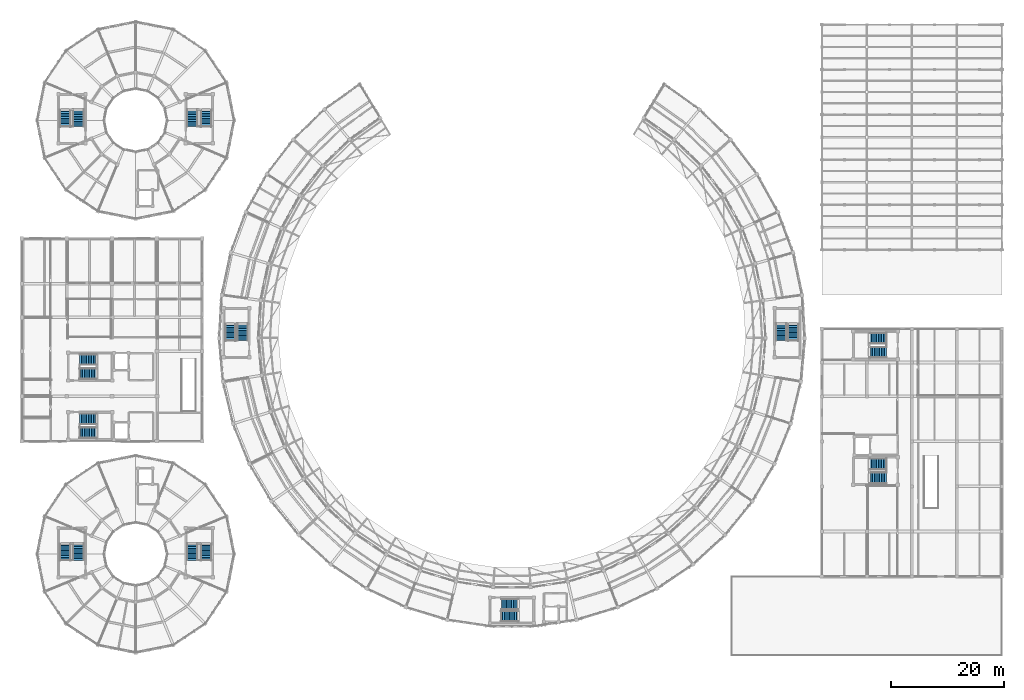
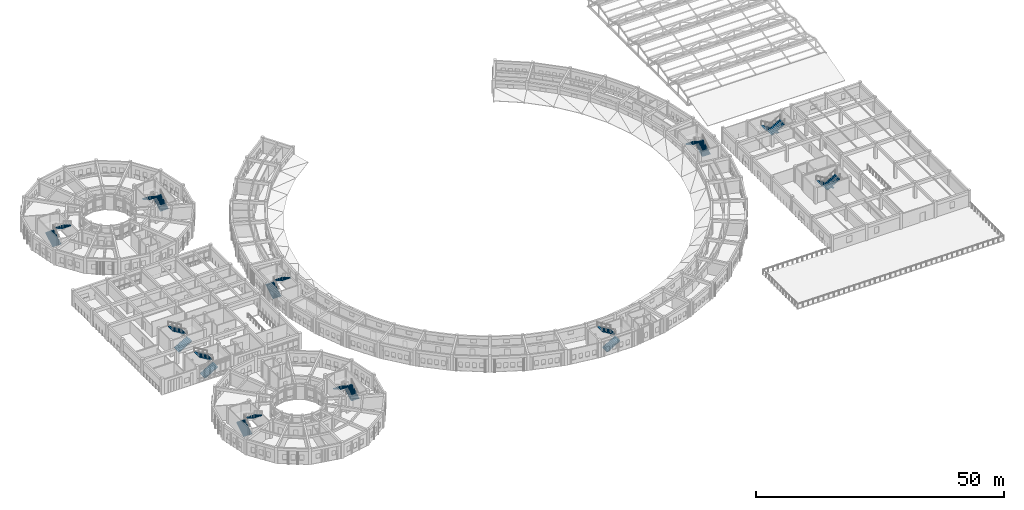
# One storey, part 94 of 112: 22 stair flights, 11 elements without a shape of their own.
"""IFC4 building model written with IfcOpenShell, lengths in metres."""

from ifc_helpers import new_model, si_unit, direction, frame, origin, place, context, subcontext, project, spatial, polyline, outline, extrude, material, type_object, element, aggregate, save


model = new_model("IFC4")

# Units and contexts
model_context = context("Model", 3, precision=1e-05, world=origin(), true_north=direction((0.0, 1.0)))
body_context = subcontext(model_context, "Body", "Model", "MODEL_VIEW")
ifc_project = project(units=[si_unit("LENGTHUNIT", "METRE"), si_unit("AREAUNIT", "SQUARE_METRE"), si_unit("VOLUMEUNIT", "CUBIC_METRE"), si_unit("PLANEANGLEUNIT", "RADIAN"), si_unit("MASSUNIT", "GRAM", prefix="KILO")], contexts=[model_context])

# Site, building, storey
site_placement = place(None, origin())
site = spatial("IfcSite", under=ifc_project, at=site_placement, CompositionType="ELEMENT")
building_placement = place(site_placement, origin())
building = spatial("IfcBuilding", under=site, at=building_placement, Name="Celadon Cloister-Ring School", CompositionType="ELEMENT")
storey_placement = place(building_placement, frame((0.0, 0.0, 8.5)))
storey = spatial("IfcBuildingStorey", under=building, at=storey_placement, Name="L02", CompositionType="ELEMENT", Elevation=8.5)

# Stair, stair flights
ifc_material_1 = material(Name="Concrete C35/45", Category="concrete")
stair_type_1 = type_object("IfcStairType", Name="ST-02", PredefinedType="HALF_TURN_STAIR", material=ifc_material_1)
stair_1_placement = place(storey_placement, origin())
stair_1 = element("IfcStair", 1, at=stair_1_placement, inside=storey, type_object=stair_type_1, Name="Exit Stair ST-V5A L02", PredefinedType="HALF_TURN_STAIR")
ifc_material_2 = material(Name="Concrete C35/45", Category="concrete")
stair_flight_type_1 = type_object("IfcStairFlightType", Name="SFL-01", PredefinedType="STRAIGHT", material=ifc_material_2)
stair_flight_1_placement = place(storey_placement, frame((10.18994140625, 41.52001953125, 0.0), z_axis=(0.0, 0.0, 1.0), x_axis=(1.0, 0.0, 0.0)))
stair_flight_1 = element("IfcStairFlight", 2, at=stair_flight_1_placement, type_object=stair_flight_type_1, Name="ST-02 flight 1", NumberOfRisers=11, NumberOfTreads=10, PredefinedType="STRAIGHT", RiserHeight=0.181818182, TreadLength=0.305, context=body_context, shape_type="SweptSolid", body=[
    extrude(outline(polyline([(0.0, 0.0), (0.0, 0.181884765625), (0.304931640625, 0.181884765625), (0.304931640625, 0.363525390625), (0.610107421875, 0.363525390625), (0.610107421875, 0.54541015625), (0.9150390625, 0.54541015625), (0.9150390625, 0.727294921875), (1.219970703125, 0.727294921875), (1.219970703125, 0.9091796875), (1.52490234375, 0.9091796875), (1.52490234375, 1.0908203125), (1.830078125, 1.0908203125), (1.830078125, 1.272705078125), (2.135009765625, 1.272705078125), (2.135009765625, 1.45458984375), (2.43994140625, 1.45458984375), (2.43994140625, 1.636474609375), (2.7451171875, 1.636474609375), (2.7451171875, 1.818115234375), (3.050048828125, 1.818115234375), (3.050048828125, 2.0), (3.050048828125, 1.632080078125), (0.312255859375, 0.0), (0.0, 0.0)])), frame((0.0, 0.97998046875, 0.0), z_axis=(0.0, -1.0, 0.0), x_axis=(1.0, 0.0, 0.0)), (0.0, 0.0, 1.0), 1.9599609375),
])
stair_flight_2_placement = place(storey_placement, frame((13.320068359375, 43.97998046875, 2.0), z_axis=(0.0, 0.0, 1.0), x_axis=(-1.0, 0.0, 0.0)))
stair_flight_2 = element("IfcStairFlight", 3, at=stair_flight_2_placement, type_object=stair_flight_type_1, Name="ST-02 flight 2", NumberOfRisers=11, NumberOfTreads=10, PredefinedType="STRAIGHT", RiserHeight=0.181818182, TreadLength=0.305, context=body_context, shape_type="SweptSolid", body=[
    extrude(outline(polyline([(0.0, 0.0), (0.0, 0.181884765625), (0.304931640625, 0.181884765625), (0.304931640625, 0.363525390625), (0.610107421875, 0.363525390625), (0.610107421875, 0.54541015625), (0.9150390625, 0.54541015625), (0.9150390625, 0.727294921875), (1.219970703125, 0.727294921875), (1.219970703125, 0.9091796875), (1.52490234375, 0.9091796875), (1.52490234375, 1.0908203125), (1.830078125, 1.0908203125), (1.830078125, 1.272705078125), (2.135009765625, 1.272705078125), (2.135009765625, 1.45458984375), (2.43994140625, 1.45458984375), (2.43994140625, 1.636474609375), (2.7451171875, 1.636474609375), (2.7451171875, 1.818115234375), (3.050048828125, 1.818115234375), (3.050048828125, 2.0), (3.050048828125, 1.632080078125), (0.312255859375, 0.0), (0.0, 0.0)])), frame((0.0, 0.97998046875, 0.0), z_axis=(0.0, -1.0, 0.0), x_axis=(1.0, 0.0, 0.0)), (0.0, 0.0, 1.0), 1.9599609375),
])
aggregate(stair_1, [stair_flight_1, stair_flight_2])

stair_2_placement = place(storey_placement, origin())
stair_2 = element("IfcStair", 4, at=stair_2_placement, inside=storey, type_object=stair_type_1, Name="Exit Stair ST-V5L1 L02", PredefinedType="HALF_TURN_STAIR")
stair_flight_3_placement = place(storey_placement, frame((7.719970703125, 18.800048828125, 0.0), z_axis=(0.0, 0.0, 1.0), x_axis=(0.0, 1.0, 0.0)))
stair_flight_3 = element("IfcStairFlight", 5, at=stair_flight_3_placement, type_object=stair_flight_type_1, Name="ST-02 flight 1", NumberOfRisers=11, NumberOfTreads=10, PredefinedType="STRAIGHT", RiserHeight=0.181818182, TreadLength=0.305, context=body_context, shape_type="SweptSolid", body=[
    extrude(outline(polyline([(0.0, 0.0), (0.0, 0.181884765625), (0.304931640625, 0.181884765625), (0.304931640625, 0.363525390625), (0.610107421875, 0.363525390625), (0.610107421875, 0.54541015625), (0.9150390625, 0.54541015625), (0.9150390625, 0.727294921875), (1.219970703125, 0.727294921875), (1.219970703125, 0.9091796875), (1.52490234375, 0.9091796875), (1.52490234375, 1.0908203125), (1.830078125, 1.0908203125), (1.830078125, 1.272705078125), (2.135009765625, 1.272705078125), (2.135009765625, 1.45458984375), (2.43994140625, 1.45458984375), (2.43994140625, 1.636474609375), (2.7451171875, 1.636474609375), (2.7451171875, 1.818115234375), (3.050048828125, 1.818115234375), (3.050048828125, 2.0), (3.050048828125, 1.632080078125), (0.312255859375, 0.0), (0.0, 0.0)])), frame((0.0, 0.97998046875, 0.0), z_axis=(0.0, -1.0, 0.0), x_axis=(1.0, 0.0, 0.0)), (0.0, 0.0, 1.0), 1.9599609375),
])
stair_flight_4_placement = place(storey_placement, frame((10.080078125, 21.929931640625, 2.0), z_axis=(0.0, 0.0, 1.0), x_axis=(0.0, -1.0, 0.0)))
stair_flight_4 = element("IfcStairFlight", 6, at=stair_flight_4_placement, type_object=stair_flight_type_1, Name="ST-02 flight 2", NumberOfRisers=11, NumberOfTreads=10, PredefinedType="STRAIGHT", RiserHeight=0.181818182, TreadLength=0.305, context=body_context, shape_type="SweptSolid", body=[
    extrude(outline(polyline([(0.0, 0.0), (0.0, 0.181884765625), (0.304931640625, 0.181884765625), (0.304931640625, 0.363525390625), (0.610107421875, 0.363525390625), (0.610107421875, 0.54541015625), (0.9150390625, 0.54541015625), (0.9150390625, 0.727294921875), (1.219970703125, 0.727294921875), (1.219970703125, 0.9091796875), (1.52490234375, 0.9091796875), (1.52490234375, 1.0908203125), (1.830078125, 1.0908203125), (1.830078125, 1.272705078125), (2.135009765625, 1.272705078125), (2.135009765625, 1.45458984375), (2.43994140625, 1.45458984375), (2.43994140625, 1.636474609375), (2.7451171875, 1.636474609375), (2.7451171875, 1.818115234375), (3.050048828125, 1.818115234375), (3.050048828125, 2.0), (3.050048828125, 1.632080078125), (0.312255859375, 0.0), (0.0, 0.0)])), frame((0.0, 0.97998046875, 0.0), z_axis=(0.0, -1.0, 0.0), x_axis=(1.0, 0.0, 0.0)), (0.0, 0.0, 1.0), 1.9599609375),
])
aggregate(stair_2, [stair_flight_3, stair_flight_4])

stair_3_placement = place(storey_placement, origin())
stair_3 = element("IfcStair", 7, at=stair_3_placement, inside=storey, type_object=stair_type_1, Name="Exit Stair ST-V3A L02", PredefinedType="HALF_TURN_STAIR")
stair_flight_5_placement = place(storey_placement, frame((7.719970703125, 95.800048828125, 0.0), z_axis=(0.0, 0.0, 1.0), x_axis=(0.0, 1.0, 0.0)))
stair_flight_5 = element("IfcStairFlight", 8, at=stair_flight_5_placement, type_object=stair_flight_type_1, Name="ST-02 flight 1", NumberOfRisers=11, NumberOfTreads=10, PredefinedType="STRAIGHT", RiserHeight=0.181818182, TreadLength=0.305, context=body_context, shape_type="SweptSolid", body=[
    extrude(outline(polyline([(0.0, 0.0), (0.0, 0.181884765625), (0.304931640625, 0.181884765625), (0.304931640625, 0.363525390625), (0.610107421875, 0.363525390625), (0.610107421875, 0.54541015625), (0.9150390625, 0.54541015625), (0.9150390625, 0.727294921875), (1.219970703125, 0.727294921875), (1.219970703125, 0.9091796875), (1.52490234375, 0.9091796875), (1.52490234375, 1.0908203125), (1.830078125, 1.0908203125), (1.830078125, 1.272705078125), (2.135009765625, 1.272705078125), (2.135009765625, 1.45458984375), (2.43994140625, 1.45458984375), (2.43994140625, 1.636474609375), (2.7451171875, 1.636474609375), (2.7451171875, 1.818115234375), (3.050048828125, 1.818115234375), (3.050048828125, 2.0), (3.050048828125, 1.632080078125), (0.312255859375, 0.0), (0.0, 0.0)])), frame((0.0, 0.97998046875, 0.0), z_axis=(0.0, -1.0, 0.0), x_axis=(1.0, 0.0, 0.0)), (0.0, 0.0, 1.0), 1.9599609375),
])
stair_flight_6_placement = place(storey_placement, frame((10.080078125, 98.929931640625, 2.0), z_axis=(0.0, 0.0, 1.0), x_axis=(0.0, -1.0, 0.0)))
stair_flight_6 = element("IfcStairFlight", 9, at=stair_flight_6_placement, type_object=stair_flight_type_1, Name="ST-02 flight 2", NumberOfRisers=11, NumberOfTreads=10, PredefinedType="STRAIGHT", RiserHeight=0.181818182, TreadLength=0.305, context=body_context, shape_type="SweptSolid", body=[
    extrude(outline(polyline([(0.0, 0.0), (0.0, 0.181884765625), (0.304931640625, 0.181884765625), (0.304931640625, 0.363525390625), (0.610107421875, 0.363525390625), (0.610107421875, 0.54541015625), (0.9150390625, 0.54541015625), (0.9150390625, 0.727294921875), (1.219970703125, 0.727294921875), (1.219970703125, 0.9091796875), (1.52490234375, 0.9091796875), (1.52490234375, 1.0908203125), (1.830078125, 1.0908203125), (1.830078125, 1.272705078125), (2.135009765625, 1.272705078125), (2.135009765625, 1.45458984375), (2.43994140625, 1.45458984375), (2.43994140625, 1.636474609375), (2.7451171875, 1.636474609375), (2.7451171875, 1.818115234375), (3.050048828125, 1.818115234375), (3.050048828125, 2.0), (3.050048828125, 1.632080078125), (0.312255859375, 0.0), (0.0, 0.0)])), frame((0.0, 0.97998046875, 0.0), z_axis=(0.0, -1.0, 0.0), x_axis=(1.0, 0.0, 0.0)), (0.0, 0.0, 1.0), 1.9599609375),
])
aggregate(stair_3, [stair_flight_5, stair_flight_6])

stair_4_placement = place(storey_placement, origin())
stair_4 = element("IfcStair", 10, at=stair_4_placement, inside=storey, type_object=stair_type_1, Name="Exit Stair ST-V4A L02", PredefinedType="HALF_TURN_STAIR")
stair_flight_7_placement = place(storey_placement, frame((153.56005859375, 35.97998046875, 0.0), z_axis=(0.0, 0.0, 1.0), x_axis=(-1.0, 0.0, 0.0)))
stair_flight_7 = element("IfcStairFlight", 11, at=stair_flight_7_placement, type_object=stair_flight_type_1, Name="ST-02 flight 1", NumberOfRisers=11, NumberOfTreads=10, PredefinedType="STRAIGHT", RiserHeight=0.181818182, TreadLength=0.305, context=body_context, shape_type="SweptSolid", body=[
    extrude(outline(polyline([(0.0, 0.0), (0.0, 0.181884765625), (0.304931640625, 0.181884765625), (0.304931640625, 0.363525390625), (0.610107421875, 0.363525390625), (0.610107421875, 0.54541015625), (0.9150390625, 0.54541015625), (0.9150390625, 0.727294921875), (1.219970703125, 0.727294921875), (1.219970703125, 0.9091796875), (1.52490234375, 0.9091796875), (1.52490234375, 1.0908203125), (1.830078125, 1.0908203125), (1.830078125, 1.272705078125), (2.135009765625, 1.272705078125), (2.135009765625, 1.45458984375), (2.43994140625, 1.45458984375), (2.43994140625, 1.636474609375), (2.7451171875, 1.636474609375), (2.7451171875, 1.818115234375), (3.050048828125, 1.818115234375), (3.050048828125, 2.0), (3.050048828125, 1.632080078125), (0.312255859375, 0.0), (0.0, 0.0)])), frame((0.0, 0.97998046875, 0.0), z_axis=(0.0, -1.0, 0.0), x_axis=(1.0, 0.0, 0.0)), (0.0, 0.0, 1.0), 1.9599609375),
])
stair_flight_8_placement = place(storey_placement, frame((150.429931640625, 33.52001953125, 2.0), z_axis=(0.0, 0.0, 1.0), x_axis=(1.0, 0.0, 0.0)))
stair_flight_8 = element("IfcStairFlight", 12, at=stair_flight_8_placement, type_object=stair_flight_type_1, Name="ST-02 flight 2", NumberOfRisers=11, NumberOfTreads=10, PredefinedType="STRAIGHT", RiserHeight=0.181818182, TreadLength=0.305, context=body_context, shape_type="SweptSolid", body=[
    extrude(outline(polyline([(0.0, 0.0), (0.0, 0.181884765625), (0.304931640625, 0.181884765625), (0.304931640625, 0.363525390625), (0.610107421875, 0.363525390625), (0.610107421875, 0.54541015625), (0.9150390625, 0.54541015625), (0.9150390625, 0.727294921875), (1.219970703125, 0.727294921875), (1.219970703125, 0.9091796875), (1.52490234375, 0.9091796875), (1.52490234375, 1.0908203125), (1.830078125, 1.0908203125), (1.830078125, 1.272705078125), (2.135009765625, 1.272705078125), (2.135009765625, 1.45458984375), (2.43994140625, 1.45458984375), (2.43994140625, 1.636474609375), (2.7451171875, 1.636474609375), (2.7451171875, 1.818115234375), (3.050048828125, 1.818115234375), (3.050048828125, 2.0), (3.050048828125, 1.632080078125), (0.312255859375, 0.0), (0.0, 0.0)])), frame((0.0, 0.97998046875, 0.0), z_axis=(0.0, -1.0, 0.0), x_axis=(1.0, 0.0, 0.0)), (0.0, 0.0, 1.0), 1.9599609375),
])
aggregate(stair_4, [stair_flight_7, stair_flight_8])

ifc_material_3 = material(Name="Concrete C35/45", Category="concrete")
stair_type_2 = type_object("IfcStairType", Name="ST-04", PredefinedType="HALF_TURN_STAIR", material=ifc_material_3)
stair_5_placement = place(storey_placement, origin())
stair_5 = element("IfcStair", 13, at=stair_5_placement, inside=storey, type_object=stair_type_2, Name="Exit Stair ST-V5B L02", PredefinedType="HALF_TURN_STAIR")
ifc_material_4 = material(Name="Concrete C35/45", Category="concrete")
stair_flight_type_2 = type_object("IfcStairFlightType", Name="SFL-02", PredefinedType="STRAIGHT", material=ifc_material_4)
stair_flight_9_placement = place(storey_placement, frame((10.18994140625, 51.989990234375, 0.0), z_axis=(0.0, 0.0, 1.0), x_axis=(1.0, 0.0, 0.0)))
stair_flight_9 = element("IfcStairFlight", 14, at=stair_flight_9_placement, type_object=stair_flight_type_2, Name="ST-04 flight 1", NumberOfRisers=11, NumberOfTreads=10, PredefinedType="STRAIGHT", RiserHeight=0.181818182, TreadLength=0.305, context=body_context, shape_type="SweptSolid", body=[
    extrude(outline(polyline([(0.0, 0.0), (0.0, 0.181884765625), (0.304931640625, 0.181884765625), (0.304931640625, 0.363525390625), (0.610107421875, 0.363525390625), (0.610107421875, 0.54541015625), (0.9150390625, 0.54541015625), (0.9150390625, 0.727294921875), (1.219970703125, 0.727294921875), (1.219970703125, 0.9091796875), (1.52490234375, 0.9091796875), (1.52490234375, 1.0908203125), (1.830078125, 1.0908203125), (1.830078125, 1.272705078125), (2.135009765625, 1.272705078125), (2.135009765625, 1.45458984375), (2.43994140625, 1.45458984375), (2.43994140625, 1.636474609375), (2.7451171875, 1.636474609375), (2.7451171875, 1.818115234375), (3.050048828125, 1.818115234375), (3.050048828125, 2.0), (3.050048828125, 1.632080078125), (0.312255859375, 0.0), (0.0, 0.0)])), frame((0.0, 0.949951171875, 0.0), z_axis=(0.0, -1.0, 0.0), x_axis=(1.0, 0.0, 0.0)), (0.0, 0.0, 1.0), 1.89990234375),
])
stair_flight_10_placement = place(storey_placement, frame((13.320068359375, 54.510009765625, 2.0), z_axis=(0.0, 0.0, 1.0), x_axis=(-1.0, 0.0, 0.0)))
stair_flight_10 = element("IfcStairFlight", 15, at=stair_flight_10_placement, type_object=stair_flight_type_2, Name="ST-04 flight 2", NumberOfRisers=11, NumberOfTreads=10, PredefinedType="STRAIGHT", RiserHeight=0.181818182, TreadLength=0.305, context=body_context, shape_type="SweptSolid", body=[
    extrude(outline(polyline([(0.0, 0.0), (0.0, 0.181884765625), (0.304931640625, 0.181884765625), (0.304931640625, 0.363525390625), (0.610107421875, 0.363525390625), (0.610107421875, 0.54541015625), (0.9150390625, 0.54541015625), (0.9150390625, 0.727294921875), (1.219970703125, 0.727294921875), (1.219970703125, 0.9091796875), (1.52490234375, 0.9091796875), (1.52490234375, 1.0908203125), (1.830078125, 1.0908203125), (1.830078125, 1.272705078125), (2.135009765625, 1.272705078125), (2.135009765625, 1.45458984375), (2.43994140625, 1.45458984375), (2.43994140625, 1.636474609375), (2.7451171875, 1.636474609375), (2.7451171875, 1.818115234375), (3.050048828125, 1.818115234375), (3.050048828125, 2.0), (3.050048828125, 1.632080078125), (0.312255859375, 0.0), (0.0, 0.0)])), frame((0.0, 0.949951171875, 0.0), z_axis=(0.0, -1.0, 0.0), x_axis=(1.0, 0.0, 0.0)), (0.0, 0.0, 1.0), 1.89990234375),
])
aggregate(stair_5, [stair_flight_9, stair_flight_10])

stair_6_placement = place(storey_placement, origin())
stair_6 = element("IfcStair", 16, at=stair_6_placement, inside=storey, type_object=stair_type_2, Name="Exit Stair ST-V5L2 L02", PredefinedType="HALF_TURN_STAIR")
stair_flight_11_placement = place(storey_placement, frame((32.7099609375, 18.800048828125, 0.0), z_axis=(0.0, 0.0, 1.0), x_axis=(0.0, 1.0, 0.0)))
stair_flight_11 = element("IfcStairFlight", 17, at=stair_flight_11_placement, type_object=stair_flight_type_2, Name="ST-04 flight 1", NumberOfRisers=11, NumberOfTreads=10, PredefinedType="STRAIGHT", RiserHeight=0.181818182, TreadLength=0.305, context=body_context, shape_type="SweptSolid", body=[
    extrude(outline(polyline([(0.0, 0.0), (0.0, 0.181884765625), (0.304931640625, 0.181884765625), (0.304931640625, 0.363525390625), (0.610107421875, 0.363525390625), (0.610107421875, 0.54541015625), (0.9150390625, 0.54541015625), (0.9150390625, 0.727294921875), (1.219970703125, 0.727294921875), (1.219970703125, 0.9091796875), (1.52490234375, 0.9091796875), (1.52490234375, 1.0908203125), (1.830078125, 1.0908203125), (1.830078125, 1.272705078125), (2.135009765625, 1.272705078125), (2.135009765625, 1.45458984375), (2.43994140625, 1.45458984375), (2.43994140625, 1.636474609375), (2.7451171875, 1.636474609375), (2.7451171875, 1.818115234375), (3.050048828125, 1.818115234375), (3.050048828125, 2.0), (3.050048828125, 1.632080078125), (0.312255859375, 0.0), (0.0, 0.0)])), frame((0.0, 0.949951171875, 0.0), z_axis=(0.0, -1.0, 0.0), x_axis=(1.0, 0.0, 0.0)), (0.0, 0.0, 1.0), 1.89990234375),
])
stair_flight_12_placement = place(storey_placement, frame((30.2900390625, 21.929931640625, 2.0), z_axis=(0.0, 0.0, 1.0), x_axis=(0.0, -1.0, 0.0)))
stair_flight_12 = element("IfcStairFlight", 18, at=stair_flight_12_placement, type_object=stair_flight_type_2, Name="ST-04 flight 2", NumberOfRisers=11, NumberOfTreads=10, PredefinedType="STRAIGHT", RiserHeight=0.181818182, TreadLength=0.305, context=body_context, shape_type="SweptSolid", body=[
    extrude(outline(polyline([(0.0, 0.0), (0.0, 0.181884765625), (0.304931640625, 0.181884765625), (0.304931640625, 0.363525390625), (0.610107421875, 0.363525390625), (0.610107421875, 0.54541015625), (0.9150390625, 0.54541015625), (0.9150390625, 0.727294921875), (1.219970703125, 0.727294921875), (1.219970703125, 0.9091796875), (1.52490234375, 0.9091796875), (1.52490234375, 1.0908203125), (1.830078125, 1.0908203125), (1.830078125, 1.272705078125), (2.135009765625, 1.272705078125), (2.135009765625, 1.45458984375), (2.43994140625, 1.45458984375), (2.43994140625, 1.636474609375), (2.7451171875, 1.636474609375), (2.7451171875, 1.818115234375), (3.050048828125, 1.818115234375), (3.050048828125, 2.0), (3.050048828125, 1.632080078125), (0.312255859375, 0.0), (0.0, 0.0)])), frame((0.0, 0.949951171875, 0.0), z_axis=(0.0, -1.0, 0.0), x_axis=(1.0, 0.0, 0.0)), (0.0, 0.0, 1.0), 1.89990234375),
])
aggregate(stair_6, [stair_flight_11, stair_flight_12])

stair_7_placement = place(storey_placement, origin())
stair_7 = element("IfcStair", 19, at=stair_7_placement, inside=storey, type_object=stair_type_2, Name="Exit Stair ST-V3B L02", PredefinedType="HALF_TURN_STAIR")
stair_flight_13_placement = place(storey_placement, frame((32.7099609375, 95.800048828125, 0.0), z_axis=(0.0, 0.0, 1.0), x_axis=(0.0, 1.0, 0.0)))
stair_flight_13 = element("IfcStairFlight", 20, at=stair_flight_13_placement, type_object=stair_flight_type_2, Name="ST-04 flight 1", NumberOfRisers=11, NumberOfTreads=10, PredefinedType="STRAIGHT", RiserHeight=0.181818182, TreadLength=0.305, context=body_context, shape_type="SweptSolid", body=[
    extrude(outline(polyline([(0.0, 0.0), (0.0, 0.181884765625), (0.304931640625, 0.181884765625), (0.304931640625, 0.363525390625), (0.610107421875, 0.363525390625), (0.610107421875, 0.54541015625), (0.9150390625, 0.54541015625), (0.9150390625, 0.727294921875), (1.219970703125, 0.727294921875), (1.219970703125, 0.9091796875), (1.52490234375, 0.9091796875), (1.52490234375, 1.0908203125), (1.830078125, 1.0908203125), (1.830078125, 1.272705078125), (2.135009765625, 1.272705078125), (2.135009765625, 1.45458984375), (2.43994140625, 1.45458984375), (2.43994140625, 1.636474609375), (2.7451171875, 1.636474609375), (2.7451171875, 1.818115234375), (3.050048828125, 1.818115234375), (3.050048828125, 2.0), (3.050048828125, 1.632080078125), (0.312255859375, 0.0), (0.0, 0.0)])), frame((0.0, 0.949951171875, 0.0), z_axis=(0.0, -1.0, 0.0), x_axis=(1.0, 0.0, 0.0)), (0.0, 0.0, 1.0), 1.89990234375),
])
stair_flight_14_placement = place(storey_placement, frame((30.2900390625, 98.929931640625, 2.0), z_axis=(0.0, 0.0, 1.0), x_axis=(0.0, -1.0, 0.0)))
stair_flight_14 = element("IfcStairFlight", 21, at=stair_flight_14_placement, type_object=stair_flight_type_2, Name="ST-04 flight 2", NumberOfRisers=11, NumberOfTreads=10, PredefinedType="STRAIGHT", RiserHeight=0.181818182, TreadLength=0.305, context=body_context, shape_type="SweptSolid", body=[
    extrude(outline(polyline([(0.0, 0.0), (0.0, 0.181884765625), (0.304931640625, 0.181884765625), (0.304931640625, 0.363525390625), (0.610107421875, 0.363525390625), (0.610107421875, 0.54541015625), (0.9150390625, 0.54541015625), (0.9150390625, 0.727294921875), (1.219970703125, 0.727294921875), (1.219970703125, 0.9091796875), (1.52490234375, 0.9091796875), (1.52490234375, 1.0908203125), (1.830078125, 1.0908203125), (1.830078125, 1.272705078125), (2.135009765625, 1.272705078125), (2.135009765625, 1.45458984375), (2.43994140625, 1.45458984375), (2.43994140625, 1.636474609375), (2.7451171875, 1.636474609375), (2.7451171875, 1.818115234375), (3.050048828125, 1.818115234375), (3.050048828125, 2.0), (3.050048828125, 1.632080078125), (0.312255859375, 0.0), (0.0, 0.0)])), frame((0.0, 0.949951171875, 0.0), z_axis=(0.0, -1.0, 0.0), x_axis=(1.0, 0.0, 0.0)), (0.0, 0.0, 1.0), 1.89990234375),
])
aggregate(stair_7, [stair_flight_13, stair_flight_14])

stair_8_placement = place(storey_placement, origin())
stair_8 = element("IfcStair", 22, at=stair_8_placement, inside=storey, type_object=stair_type_2, Name="Exit Stair ST-V4B L02", PredefinedType="HALF_TURN_STAIR")
stair_flight_15_placement = place(storey_placement, frame((153.56005859375, 58.31005859375, 0.0), z_axis=(0.0, 0.0, 1.0), x_axis=(-1.0, 0.0, 0.0)))
stair_flight_15 = element("IfcStairFlight", 23, at=stair_flight_15_placement, type_object=stair_flight_type_2, Name="ST-04 flight 1", NumberOfRisers=11, NumberOfTreads=10, PredefinedType="STRAIGHT", RiserHeight=0.181818182, TreadLength=0.305, context=body_context, shape_type="SweptSolid", body=[
    extrude(outline(polyline([(0.0, 0.0), (0.0, 0.181884765625), (0.304931640625, 0.181884765625), (0.304931640625, 0.363525390625), (0.610107421875, 0.363525390625), (0.610107421875, 0.54541015625), (0.9150390625, 0.54541015625), (0.9150390625, 0.727294921875), (1.219970703125, 0.727294921875), (1.219970703125, 0.9091796875), (1.52490234375, 0.9091796875), (1.52490234375, 1.0908203125), (1.830078125, 1.0908203125), (1.830078125, 1.272705078125), (2.135009765625, 1.272705078125), (2.135009765625, 1.45458984375), (2.43994140625, 1.45458984375), (2.43994140625, 1.636474609375), (2.7451171875, 1.636474609375), (2.7451171875, 1.818115234375), (3.050048828125, 1.818115234375), (3.050048828125, 2.0), (3.050048828125, 1.632080078125), (0.312255859375, 0.0), (0.0, 0.0)])), frame((0.0, 0.949951171875, 0.0), z_axis=(0.0, -1.0, 0.0), x_axis=(1.0, 0.0, 0.0)), (0.0, 0.0, 1.0), 1.89990234375),
])
stair_flight_16_placement = place(storey_placement, frame((150.429931640625, 55.7900390625, 2.0), z_axis=(0.0, 0.0, 1.0), x_axis=(1.0, 0.0, 0.0)))
stair_flight_16 = element("IfcStairFlight", 24, at=stair_flight_16_placement, type_object=stair_flight_type_2, Name="ST-04 flight 2", NumberOfRisers=11, NumberOfTreads=10, PredefinedType="STRAIGHT", RiserHeight=0.181818182, TreadLength=0.305, context=body_context, shape_type="SweptSolid", body=[
    extrude(outline(polyline([(0.0, 0.0), (0.0, 0.181884765625), (0.304931640625, 0.181884765625), (0.304931640625, 0.363525390625), (0.610107421875, 0.363525390625), (0.610107421875, 0.54541015625), (0.9150390625, 0.54541015625), (0.9150390625, 0.727294921875), (1.219970703125, 0.727294921875), (1.219970703125, 0.9091796875), (1.52490234375, 0.9091796875), (1.52490234375, 1.0908203125), (1.830078125, 1.0908203125), (1.830078125, 1.272705078125), (2.135009765625, 1.272705078125), (2.135009765625, 1.45458984375), (2.43994140625, 1.45458984375), (2.43994140625, 1.636474609375), (2.7451171875, 1.636474609375), (2.7451171875, 1.818115234375), (3.050048828125, 1.818115234375), (3.050048828125, 2.0), (3.050048828125, 1.632080078125), (0.312255859375, 0.0), (0.0, 0.0)])), frame((0.0, 0.949951171875, 0.0), z_axis=(0.0, -1.0, 0.0), x_axis=(1.0, 0.0, 0.0)), (0.0, 0.0, 1.0), 1.89990234375),
])
aggregate(stair_8, [stair_flight_15, stair_flight_16])

stair_9_placement = place(storey_placement, origin())
stair_9 = element("IfcStair", 25, at=stair_9_placement, inside=storey, type_object=stair_type_2, Name="Exit Stair ST-V1S L02", PredefinedType="HALF_TURN_STAIR")
stair_flight_17_placement = place(storey_placement, frame((85.0400390625, 8.93994140625, 0.0), z_axis=(0.0, 0.0, 1.0), x_axis=(1.0, 0.0, 0.0)))
stair_flight_17 = element("IfcStairFlight", 26, at=stair_flight_17_placement, type_object=stair_flight_type_2, Name="ST-04 flight 1", NumberOfRisers=11, NumberOfTreads=10, PredefinedType="STRAIGHT", RiserHeight=0.181818182, TreadLength=0.305, context=body_context, shape_type="SweptSolid", body=[
    extrude(outline(polyline([(0.0, 0.0), (0.0, 0.181884765625), (0.304931640625, 0.181884765625), (0.304931640625, 0.363525390625), (0.610107421875, 0.363525390625), (0.610107421875, 0.54541015625), (0.9150390625, 0.54541015625), (0.9150390625, 0.727294921875), (1.219970703125, 0.727294921875), (1.219970703125, 0.9091796875), (1.52490234375, 0.9091796875), (1.52490234375, 1.0908203125), (1.830078125, 1.0908203125), (1.830078125, 1.272705078125), (2.135009765625, 1.272705078125), (2.135009765625, 1.45458984375), (2.43994140625, 1.45458984375), (2.43994140625, 1.636474609375), (2.7451171875, 1.636474609375), (2.7451171875, 1.818115234375), (3.050048828125, 1.818115234375), (3.050048828125, 2.0), (3.050048828125, 1.632080078125), (0.312255859375, 0.0), (0.0, 0.0)])), frame((0.0, 0.949951171875, 0.0), z_axis=(0.0, -1.0, 0.0), x_axis=(1.0, 0.0, 0.0)), (0.0, 0.0, 1.0), 1.89990234375),
])
stair_flight_18_placement = place(storey_placement, frame((88.169921875, 11.080078125, 2.0), z_axis=(0.0, 0.0, 1.0), x_axis=(-1.0, 0.0, 0.0)))
stair_flight_18 = element("IfcStairFlight", 27, at=stair_flight_18_placement, type_object=stair_flight_type_2, Name="ST-04 flight 2", NumberOfRisers=11, NumberOfTreads=10, PredefinedType="STRAIGHT", RiserHeight=0.181818182, TreadLength=0.305, context=body_context, shape_type="SweptSolid", body=[
    extrude(outline(polyline([(0.0, 0.0), (0.0, 0.181884765625), (0.304931640625, 0.181884765625), (0.304931640625, 0.363525390625), (0.610107421875, 0.363525390625), (0.610107421875, 0.54541015625), (0.9150390625, 0.54541015625), (0.9150390625, 0.727294921875), (1.219970703125, 0.727294921875), (1.219970703125, 0.9091796875), (1.52490234375, 0.9091796875), (1.52490234375, 1.0908203125), (1.830078125, 1.0908203125), (1.830078125, 1.272705078125), (2.135009765625, 1.272705078125), (2.135009765625, 1.45458984375), (2.43994140625, 1.45458984375), (2.43994140625, 1.636474609375), (2.7451171875, 1.636474609375), (2.7451171875, 1.818115234375), (3.050048828125, 1.818115234375), (3.050048828125, 2.0), (3.050048828125, 1.632080078125), (0.312255859375, 0.0), (0.0, 0.0)])), frame((0.0, 0.949951171875, 0.0), z_axis=(0.0, -1.0, 0.0), x_axis=(1.0, 0.0, 0.0)), (0.0, 0.0, 1.0), 1.89990234375),
])
aggregate(stair_9, [stair_flight_17, stair_flight_18])

stair_10_placement = place(storey_placement, origin())
stair_10 = element("IfcStair", 28, at=stair_10_placement, inside=storey, type_object=stair_type_2, Name="Exit Stair ST-V1W L02", PredefinedType="HALF_TURN_STAIR")
stair_flight_19_placement = place(storey_placement, frame((37.0400390625, 57.800048828125, 0.0), z_axis=(0.0, 0.0, 1.0), x_axis=(0.0, 1.0, 0.0)))
stair_flight_19 = element("IfcStairFlight", 29, at=stair_flight_19_placement, type_object=stair_flight_type_2, Name="ST-04 flight 1", NumberOfRisers=11, NumberOfTreads=10, PredefinedType="STRAIGHT", RiserHeight=0.181818182, TreadLength=0.305, context=body_context, shape_type="SweptSolid", body=[
    extrude(outline(polyline([(0.0, 0.0), (0.0, 0.181884765625), (0.304931640625, 0.181884765625), (0.304931640625, 0.363525390625), (0.610107421875, 0.363525390625), (0.610107421875, 0.54541015625), (0.9150390625, 0.54541015625), (0.9150390625, 0.727294921875), (1.219970703125, 0.727294921875), (1.219970703125, 0.9091796875), (1.52490234375, 0.9091796875), (1.52490234375, 1.0908203125), (1.830078125, 1.0908203125), (1.830078125, 1.272705078125), (2.135009765625, 1.272705078125), (2.135009765625, 1.45458984375), (2.43994140625, 1.45458984375), (2.43994140625, 1.636474609375), (2.7451171875, 1.636474609375), (2.7451171875, 1.818115234375), (3.050048828125, 1.818115234375), (3.050048828125, 2.0), (3.050048828125, 1.632080078125), (0.312255859375, 0.0), (0.0, 0.0)])), frame((0.0, 0.949951171875, 0.0), z_axis=(0.0, -1.0, 0.0), x_axis=(1.0, 0.0, 0.0)), (0.0, 0.0, 1.0), 1.89990234375),
])
stair_flight_20_placement = place(storey_placement, frame((39.179931640625, 60.929931640625, 2.0), z_axis=(0.0, 0.0, 1.0), x_axis=(0.0, -1.0, 0.0)))
stair_flight_20 = element("IfcStairFlight", 30, at=stair_flight_20_placement, type_object=stair_flight_type_2, Name="ST-04 flight 2", NumberOfRisers=11, NumberOfTreads=10, PredefinedType="STRAIGHT", RiserHeight=0.181818182, TreadLength=0.305, context=body_context, shape_type="SweptSolid", body=[
    extrude(outline(polyline([(0.0, 0.0), (0.0, 0.181884765625), (0.304931640625, 0.181884765625), (0.304931640625, 0.363525390625), (0.610107421875, 0.363525390625), (0.610107421875, 0.54541015625), (0.9150390625, 0.54541015625), (0.9150390625, 0.727294921875), (1.219970703125, 0.727294921875), (1.219970703125, 0.9091796875), (1.52490234375, 0.9091796875), (1.52490234375, 1.0908203125), (1.830078125, 1.0908203125), (1.830078125, 1.272705078125), (2.135009765625, 1.272705078125), (2.135009765625, 1.45458984375), (2.43994140625, 1.45458984375), (2.43994140625, 1.636474609375), (2.7451171875, 1.636474609375), (2.7451171875, 1.818115234375), (3.050048828125, 1.818115234375), (3.050048828125, 2.0), (3.050048828125, 1.632080078125), (0.312255859375, 0.0), (0.0, 0.0)])), frame((0.0, 0.949951171875, 0.0), z_axis=(0.0, -1.0, 0.0), x_axis=(1.0, 0.0, 0.0)), (0.0, 0.0, 1.0), 1.89990234375),
])
aggregate(stair_10, [stair_flight_19, stair_flight_20])

stair_11_placement = place(storey_placement, origin())
stair_11 = element("IfcStair", 31, at=stair_11_placement, inside=storey, type_object=stair_type_2, Name="Exit Stair ST-V1E L02", PredefinedType="HALF_TURN_STAIR")
stair_flight_21_placement = place(storey_placement, frame((136.9599609375, 57.800048828125, 0.0), z_axis=(0.0, 0.0, 1.0), x_axis=(0.0, 1.0, 0.0)))
stair_flight_21 = element("IfcStairFlight", 32, at=stair_flight_21_placement, type_object=stair_flight_type_2, Name="ST-04 flight 1", NumberOfRisers=11, NumberOfTreads=10, PredefinedType="STRAIGHT", RiserHeight=0.181818182, TreadLength=0.305, context=body_context, shape_type="SweptSolid", body=[
    extrude(outline(polyline([(0.0, 0.0), (0.0, 0.181884765625), (0.304931640625, 0.181884765625), (0.304931640625, 0.363525390625), (0.610107421875, 0.363525390625), (0.610107421875, 0.54541015625), (0.9150390625, 0.54541015625), (0.9150390625, 0.727294921875), (1.219970703125, 0.727294921875), (1.219970703125, 0.9091796875), (1.52490234375, 0.9091796875), (1.52490234375, 1.0908203125), (1.830078125, 1.0908203125), (1.830078125, 1.272705078125), (2.135009765625, 1.272705078125), (2.135009765625, 1.45458984375), (2.43994140625, 1.45458984375), (2.43994140625, 1.636474609375), (2.7451171875, 1.636474609375), (2.7451171875, 1.818115234375), (3.050048828125, 1.818115234375), (3.050048828125, 2.0), (3.050048828125, 1.632080078125), (0.312255859375, 0.0), (0.0, 0.0)])), frame((0.0, 0.949951171875, 0.0), z_axis=(0.0, -1.0, 0.0), x_axis=(1.0, 0.0, 0.0)), (0.0, 0.0, 1.0), 1.89990234375),
])
stair_flight_22_placement = place(storey_placement, frame((134.820068359375, 60.929931640625, 2.0), z_axis=(0.0, 0.0, 1.0), x_axis=(0.0, -1.0, 0.0)))
stair_flight_22 = element("IfcStairFlight", 33, at=stair_flight_22_placement, type_object=stair_flight_type_2, Name="ST-04 flight 2", NumberOfRisers=11, NumberOfTreads=10, PredefinedType="STRAIGHT", RiserHeight=0.181818182, TreadLength=0.305, context=body_context, shape_type="SweptSolid", body=[
    extrude(outline(polyline([(0.0, 0.0), (0.0, 0.181884765625), (0.304931640625, 0.181884765625), (0.304931640625, 0.363525390625), (0.610107421875, 0.363525390625), (0.610107421875, 0.54541015625), (0.9150390625, 0.54541015625), (0.9150390625, 0.727294921875), (1.219970703125, 0.727294921875), (1.219970703125, 0.9091796875), (1.52490234375, 0.9091796875), (1.52490234375, 1.0908203125), (1.830078125, 1.0908203125), (1.830078125, 1.272705078125), (2.135009765625, 1.272705078125), (2.135009765625, 1.45458984375), (2.43994140625, 1.45458984375), (2.43994140625, 1.636474609375), (2.7451171875, 1.636474609375), (2.7451171875, 1.818115234375), (3.050048828125, 1.818115234375), (3.050048828125, 2.0), (3.050048828125, 1.632080078125), (0.312255859375, 0.0), (0.0, 0.0)])), frame((0.0, 0.949951171875, 0.0), z_axis=(0.0, -1.0, 0.0), x_axis=(1.0, 0.0, 0.0)), (0.0, 0.0, 1.0), 1.89990234375),
])
aggregate(stair_11, [stair_flight_21, stair_flight_22])

save(model, "model.ifc")
